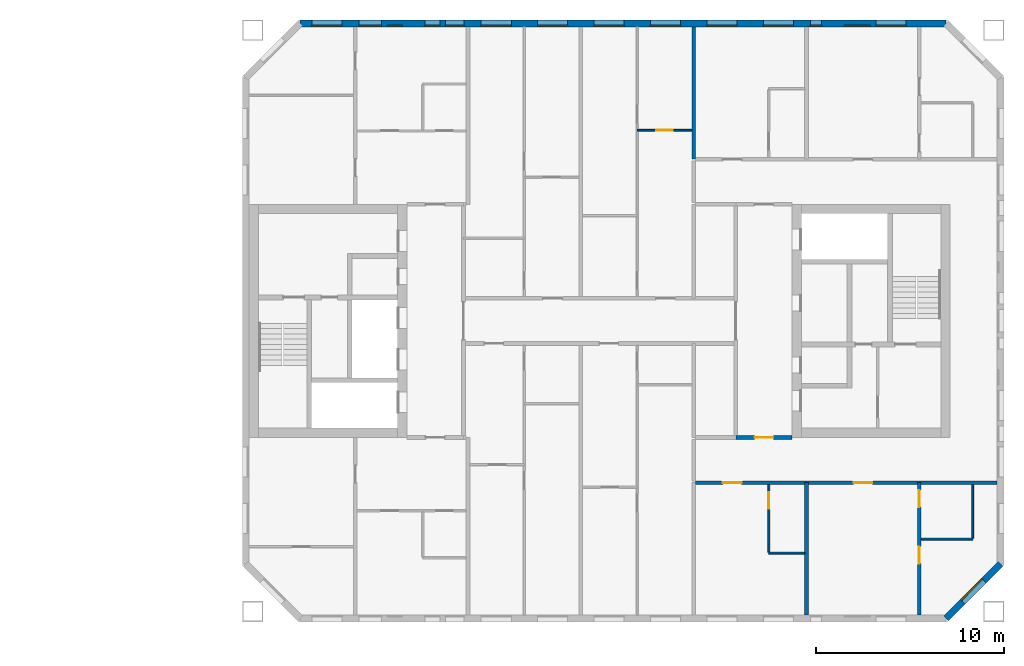
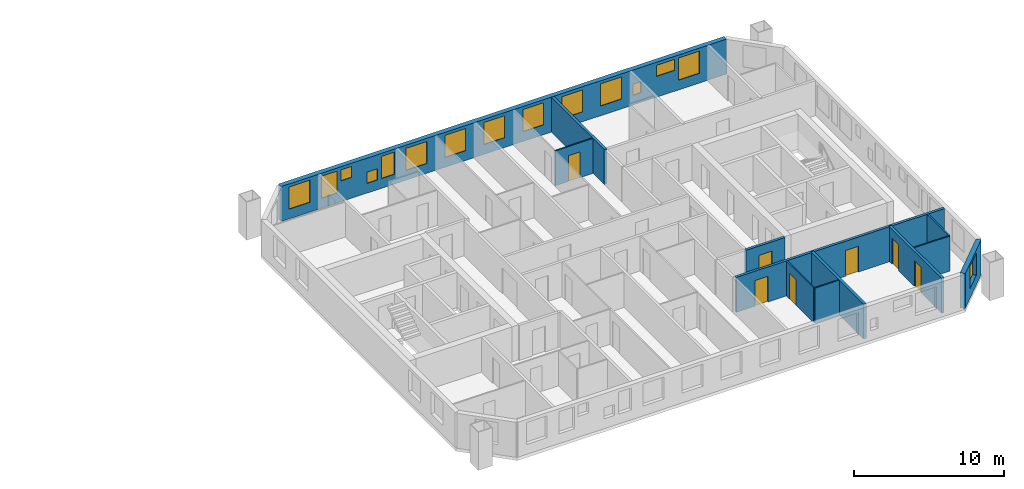
# One storey, part 11 of 15: 15 windows, 12 walls, 7 doors, 22 openings.
"""IFC4 building model written with IfcOpenShell, lengths in metres."""

from ifc_helpers import new_model, si_unit, direction, frame, frame_2d, origin, place, context, subcontext, project, spatial, rectangle, extrude, material, layer, layer_set, type_object, element, fill, save


model = new_model("IFC4")

# Units and contexts
model_context = context("Model", 3, precision=1e-05, world=origin(), true_north=direction((0.0, 1.0)))
body_context = subcontext(model_context, "Body", "Model", "MODEL_VIEW")
ifc_project = project(units=[si_unit("LENGTHUNIT", "METRE"), si_unit("AREAUNIT", "SQUARE_METRE"), si_unit("VOLUMEUNIT", "CUBIC_METRE"), si_unit("PLANEANGLEUNIT", "RADIAN"), si_unit("MASSUNIT", "GRAM", prefix="KILO")], contexts=[model_context])

# Site, building, storey
site_placement = place(None, origin())
site = spatial("IfcSite", under=ifc_project, at=site_placement, CompositionType="ELEMENT")
building_placement = place(site_placement, origin())
building = spatial("IfcBuilding", under=site, at=building_placement, Name="Tuart Gate Housing", CompositionType="ELEMENT")
storey_placement = place(building_placement, frame((0.0, 0.0, 154.699951171875)))
storey = spatial("IfcBuildingStorey", under=building, at=storey_placement, Name="L43", CompositionType="ELEMENT", Elevation=154.699951171875)

# Wall, opening, window
ifc_material_1 = material(Name="Brick", Category="masonry")
ifc_layer_1 = layer(ifc_material_1, 0.360107421875)
ifc_layer_set_1 = layer_set([ifc_layer_1], Name="Brick pier and spandrel wall 360")
wall_type_1 = type_object("IfcWallType", Name="Brick pier and spandrel wall 360", PredefinedType="STANDARD", material=ifc_layer_set_1)
wall_1_placement = place(storey_placement, frame((168.42529296875, 54.179931640625, 0.0), z_axis=(0.0, 0.0, 1.0), x_axis=(0.707106781187, 0.707106781187, 0.0)))
wall_1 = element("IfcWall", 1, at=wall_1_placement, inside=storey, type_object=wall_type_1, Name="External wall B-SE L43", PredefinedType="STANDARD", context=body_context, shape_type="SweptSolid", body=[
    extrude(rectangle(XDim=4.09375, YDim=0.360107421875, at=frame_2d((2.046875, 0.0))), origin(), (0.0, 0.0, 1.0), 2.85009765625),
])
opening_1_placement = place(wall_1_placement, frame((1.2470703125, 0.0, 0.800048828125)))
opening_1 = element("IfcOpeningElement", 2, at=opening_1_placement, cuts=wall_1, Name="Opening W1", PredefinedType="OPENING", context=body_context, shape_type="SweptSolid", body=[
    extrude(rectangle(XDim=1.60009765625, YDim=1.800048828125, at=frame_2d((0.800048828125, 0.89990234375))), frame((0.0, 0.18994140625, 0.0), z_axis=(0.0, -1.0, 0.0), x_axis=(1.0, 0.0, 0.0)), (0.0, 0.0, 1.0), 0.380126953125),
])
ifc_material_2 = material(Name="Aluminium frame with clear glass", Category="aluminium")
window_type_1 = type_object("IfcWindowType", Name="Punched window 1600 x 1800", PartitioningType="SINGLE_PANEL", PredefinedType="WINDOW", material=ifc_material_2)
window_1_placement = place(opening_1_placement, origin())
window_1 = element("IfcWindow", 3, at=window_1_placement, inside=storey, type_object=window_type_1, Name="Window W1", OverallHeight=1.800048828125, OverallWidth=1.60009765625, PartitioningType="SINGLE_PANEL", PredefinedType="WINDOW", context=body_context, shape_type="SweptSolid", body=[
    extrude(rectangle(XDim=1.60009765625, YDim=1.800048828125, at=frame_2d((0.800048828125, 0.89990234375))), frame((0.0, 0.150146484375, 0.0), z_axis=(0.0, -1.0, 0.0), x_axis=(1.0, 0.0, 0.0)), (0.0, 0.0, 1.0), 0.06005859375),
])
fill(opening_1, window_1)

# Wall, openings, windows
wall_2_placement = place(storey_placement, frame((168.42529296875, 85.820068359375, 0.0), z_axis=(0.0, 0.0, 1.0), x_axis=(-1.0, 0.0, 0.0)))
wall_2 = element("IfcWall", 4, at=wall_2_placement, inside=storey, type_object=wall_type_1, Name="External wall B-N L43", PredefinedType="STANDARD", context=body_context, shape_type="SweptSolid", body=[
    extrude(rectangle(XDim=34.350830078125, YDim=0.360107421875, at=frame_2d((17.17529296875, 0.0))), origin(), (0.0, 0.0, 1.0), 2.85009765625),
])
opening_2_placement = place(wall_2_placement, frame((2.12548828125, 0.0, 0.800048828125)))
opening_2 = element("IfcOpeningElement", 5, at=opening_2_placement, cuts=wall_2, Name="Opening W1", PredefinedType="OPENING", context=body_context, shape_type="SweptSolid", body=[
    extrude(rectangle(XDim=1.60009765625, YDim=1.800048828125, at=frame_2d((0.800048828125, 0.89990234375))), frame((0.0, 0.18994140625, 0.0), z_axis=(0.0, -1.0, 0.0), x_axis=(1.0, 0.0, 0.0)), (0.0, 0.0, 1.0), 0.380126953125),
])
opening_3_placement = place(wall_2_placement, frame((4.025390625, 0.0, 1.699951171875)))
opening_3 = element("IfcOpeningElement", 6, at=opening_3_placement, cuts=wall_2, Name="Opening W1S", PredefinedType="OPENING", context=body_context, shape_type="SweptSolid", body=[
    extrude(rectangle(XDim=1.39990234375, YDim=0.89990234375, at=frame_2d((0.699951171875, 0.449951171875))), frame((0.0, 0.18994140625, 0.0), z_axis=(0.0, -1.0, 0.0), x_axis=(1.0, 0.0, 0.0)), (0.0, 0.0, 1.0), 0.380126953125),
])
opening_4_placement = place(wall_2_placement, frame((8.12548828125, 0.0, 0.800048828125)))
opening_4 = element("IfcOpeningElement", 7, at=opening_4_placement, cuts=wall_2, Name="Opening W1", PredefinedType="OPENING", context=body_context, shape_type="SweptSolid", body=[
    extrude(rectangle(XDim=1.60009765625, YDim=1.800048828125, at=frame_2d((0.800048828125, 0.89990234375))), frame((0.0, 0.18994140625, 0.0), z_axis=(0.0, -1.0, 0.0), x_axis=(1.0, 0.0, 0.0)), (0.0, 0.0, 1.0), 0.380126953125),
])
opening_5_placement = place(wall_2_placement, frame((11.12548828125, 0.0, 0.800048828125)))
opening_5 = element("IfcOpeningElement", 8, at=opening_5_placement, cuts=wall_2, Name="Opening W1", PredefinedType="OPENING", context=body_context, shape_type="SweptSolid", body=[
    extrude(rectangle(XDim=1.60009765625, YDim=1.800048828125, at=frame_2d((0.800048828125, 0.89990234375))), frame((0.0, 0.18994140625, 0.0), z_axis=(0.0, -1.0, 0.0), x_axis=(1.0, 0.0, 0.0)), (0.0, 0.0, 1.0), 0.380126953125),
])
opening_6_placement = place(wall_2_placement, frame((14.12548828125, 0.0, 0.800048828125)))
opening_6 = element("IfcOpeningElement", 9, at=opening_6_placement, cuts=wall_2, Name="Opening W1", PredefinedType="OPENING", context=body_context, shape_type="SweptSolid", body=[
    extrude(rectangle(XDim=1.60009765625, YDim=1.800048828125, at=frame_2d((0.800048828125, 0.89990234375))), frame((0.0, 0.18994140625, 0.0), z_axis=(0.0, -1.0, 0.0), x_axis=(1.0, 0.0, 0.0)), (0.0, 0.0, 1.0), 0.380126953125),
])
opening_7_placement = place(wall_2_placement, frame((17.12548828125, 0.0, 0.800048828125)))
opening_7 = element("IfcOpeningElement", 10, at=opening_7_placement, cuts=wall_2, Name="Opening W1", PredefinedType="OPENING", context=body_context, shape_type="SweptSolid", body=[
    extrude(rectangle(XDim=1.60009765625, YDim=1.800048828125, at=frame_2d((0.800048828125, 0.89990234375))), frame((0.0, 0.18994140625, 0.0), z_axis=(0.0, -1.0, 0.0), x_axis=(1.0, 0.0, 0.0)), (0.0, 0.0, 1.0), 0.380126953125),
])
opening_8_placement = place(wall_2_placement, frame((20.12548828125, 0.0, 0.800048828125)))
opening_8 = element("IfcOpeningElement", 11, at=opening_8_placement, cuts=wall_2, Name="Opening W1", PredefinedType="OPENING", context=body_context, shape_type="SweptSolid", body=[
    extrude(rectangle(XDim=1.60009765625, YDim=1.800048828125, at=frame_2d((0.800048828125, 0.89990234375))), frame((0.0, 0.18994140625, 0.0), z_axis=(0.0, -1.0, 0.0), x_axis=(1.0, 0.0, 0.0)), (0.0, 0.0, 1.0), 0.380126953125),
])
opening_9_placement = place(wall_2_placement, frame((23.12548828125, 0.0, 0.800048828125)))
opening_9 = element("IfcOpeningElement", 12, at=opening_9_placement, cuts=wall_2, Name="Opening W1", PredefinedType="OPENING", context=body_context, shape_type="SweptSolid", body=[
    extrude(rectangle(XDim=1.60009765625, YDim=1.800048828125, at=frame_2d((0.800048828125, 0.89990234375))), frame((0.0, 0.18994140625, 0.0), z_axis=(0.0, -1.0, 0.0), x_axis=(1.0, 0.0, 0.0)), (0.0, 0.0, 1.0), 0.380126953125),
])
opening_10_placement = place(wall_2_placement, frame((25.62548828125, 0.0, 0.800048828125)))
opening_10 = element("IfcOpeningElement", 13, at=opening_10_placement, cuts=wall_2, Name="Opening W1C", PredefinedType="OPENING", context=body_context, shape_type="SweptSolid", body=[
    extrude(rectangle(XDim=1.0, YDim=1.800048828125, at=frame_2d((0.5, 0.89990234375))), frame((0.0, 0.18994140625, 0.0), z_axis=(0.0, -1.0, 0.0), x_axis=(1.0, 0.0, 0.0)), (0.0, 0.0, 1.0), 0.380126953125),
])
opening_11_placement = place(wall_2_placement, frame((26.92529296875, 0.0, 0.800048828125)))
opening_11 = element("IfcOpeningElement", 14, at=opening_11_placement, cuts=wall_2, Name="Opening W1V", PredefinedType="OPENING", context=body_context, shape_type="SweptSolid", body=[
    extrude(rectangle(XDim=0.800048828125, YDim=0.89990234375, at=frame_2d((0.39990234375, 0.449951171875))), frame((0.0, 0.18994140625, 0.0), z_axis=(0.0, -1.0, 0.0), x_axis=(1.0, 0.0, 0.0)), (0.0, 0.0, 1.0), 0.380126953125),
])
opening_12_placement = place(wall_2_placement, frame((32.12548828125, 0.0, 0.800048828125)))
opening_12 = element("IfcOpeningElement", 15, at=opening_12_placement, cuts=wall_2, Name="Opening W1", PredefinedType="OPENING", context=body_context, shape_type="SweptSolid", body=[
    extrude(rectangle(XDim=1.60009765625, YDim=1.800048828125, at=frame_2d((0.800048828125, 0.89990234375))), frame((0.0, 0.18994140625, 0.0), z_axis=(0.0, -1.0, 0.0), x_axis=(1.0, 0.0, 0.0)), (0.0, 0.0, 1.0), 0.380126953125),
])
opening_13_placement = place(wall_2_placement, frame((6.62548828125, 0.0, 0.800048828125)))
opening_13 = element("IfcOpeningElement", 16, at=opening_13_placement, cuts=wall_2, Name="Opening W1W", PredefinedType="OPENING", context=body_context, shape_type="SweptSolid", body=[
    extrude(rectangle(XDim=0.60009765625, YDim=0.89990234375, at=frame_2d((0.300048828125, 0.449951171875))), frame((0.0, 0.18994140625, 0.0), z_axis=(0.0, -1.0, 0.0), x_axis=(1.0, 0.0, 0.0)), (0.0, 0.0, 1.0), 0.380126953125),
])
opening_14_placement = place(wall_2_placement, frame((28.92529296875, 0.0, 1.699951171875)))
opening_14 = element("IfcOpeningElement", 17, at=opening_14_placement, cuts=wall_2, Name="Opening W1V", PredefinedType="OPENING", context=body_context, shape_type="SweptSolid", body=[
    extrude(rectangle(XDim=0.800048828125, YDim=0.89990234375, at=frame_2d((0.39990234375, 0.449951171875))), frame((0.0, 0.18994140625, 0.0), z_axis=(0.0, -1.0, 0.0), x_axis=(1.0, 0.0, 0.0)), (0.0, 0.0, 1.0), 0.380126953125),
])
opening_15_placement = place(wall_2_placement, frame((30.025390625, 0.0, 0.800048828125)))
opening_15 = element("IfcOpeningElement", 18, at=opening_15_placement, cuts=wall_2, Name="Opening W1B", PredefinedType="OPENING", context=body_context, shape_type="SweptSolid", body=[
    extrude(rectangle(XDim=1.199951171875, YDim=1.800048828125, at=frame_2d((0.60009765625, 0.89990234375))), frame((0.0, 0.18994140625, 0.0), z_axis=(0.0, -1.0, 0.0), x_axis=(1.0, 0.0, 0.0)), (0.0, 0.0, 1.0), 0.380126953125),
])
ifc_material_3 = material(Name="Aluminium frame with clear glass", Category="aluminium")
window_type_2 = type_object("IfcWindowType", Name="Punched window 1000 x 1800", PartitioningType="SINGLE_PANEL", PredefinedType="WINDOW", material=ifc_material_3)
window_2_placement = place(opening_10_placement, origin())
window_2 = element("IfcWindow", 19, at=window_2_placement, inside=storey, type_object=window_type_2, Name="Window W1C", OverallHeight=1.800048828125, OverallWidth=1.0, PartitioningType="SINGLE_PANEL", PredefinedType="WINDOW", context=body_context, shape_type="SweptSolid", body=[
    extrude(rectangle(XDim=1.0, YDim=1.800048828125, at=frame_2d((0.5, 0.89990234375))), frame((0.0, 0.150146484375, 0.0), z_axis=(0.0, -1.0, 0.0), x_axis=(1.0, 0.0, 0.0)), (0.0, 0.0, 1.0), 0.06005859375),
])
fill(opening_10, window_2)
ifc_material_4 = material(Name="Aluminium frame with clear glass", Category="aluminium")
window_type_3 = type_object("IfcWindowType", Name="Punched window 1200 x 1800", PartitioningType="SINGLE_PANEL", PredefinedType="WINDOW", material=ifc_material_4)
window_3_placement = place(opening_15_placement, origin())
window_3 = element("IfcWindow", 20, at=window_3_placement, inside=storey, type_object=window_type_3, Name="Window W1B", OverallHeight=1.800048828125, OverallWidth=1.199951171875, PartitioningType="SINGLE_PANEL", PredefinedType="WINDOW", context=body_context, shape_type="SweptSolid", body=[
    extrude(rectangle(XDim=1.199951171875, YDim=1.800048828125, at=frame_2d((0.60009765625, 0.89990234375))), frame((0.0, 0.150146484375, 0.0), z_axis=(0.0, -1.0, 0.0), x_axis=(1.0, 0.0, 0.0)), (0.0, 0.0, 1.0), 0.06005859375),
])
fill(opening_15, window_3)
ifc_material_5 = material(Name="Aluminium frame with clear glass", Category="aluminium")
window_type_4 = type_object("IfcWindowType", Name="Punched window 1400 x 900", PartitioningType="SINGLE_PANEL", PredefinedType="WINDOW", material=ifc_material_5)
window_4_placement = place(opening_3_placement, origin())
window_4 = element("IfcWindow", 21, at=window_4_placement, inside=storey, type_object=window_type_4, Name="Window W1S", OverallHeight=0.89990234375, OverallWidth=1.39990234375, PartitioningType="SINGLE_PANEL", PredefinedType="WINDOW", context=body_context, shape_type="SweptSolid", body=[
    extrude(rectangle(XDim=1.39990234375, YDim=0.89990234375, at=frame_2d((0.699951171875, 0.449951171875))), frame((0.0, 0.150146484375, 0.0), z_axis=(0.0, -1.0, 0.0), x_axis=(1.0, 0.0, 0.0)), (0.0, 0.0, 1.0), 0.06005859375),
])
fill(opening_3, window_4)
window_5_placement = place(opening_2_placement, origin())
window_5 = element("IfcWindow", 22, at=window_5_placement, inside=storey, type_object=window_type_1, Name="Window W1", OverallHeight=1.800048828125, OverallWidth=1.60009765625, PartitioningType="SINGLE_PANEL", PredefinedType="WINDOW", context=body_context, shape_type="SweptSolid", body=[
    extrude(rectangle(XDim=1.60009765625, YDim=1.800048828125, at=frame_2d((0.800048828125, 0.89990234375))), frame((0.0, 0.150146484375, 0.0), z_axis=(0.0, -1.0, 0.0), x_axis=(1.0, 0.0, 0.0)), (0.0, 0.0, 1.0), 0.06005859375),
])
fill(opening_2, window_5)
window_6_placement = place(opening_4_placement, origin())
window_6 = element("IfcWindow", 23, at=window_6_placement, inside=storey, type_object=window_type_1, Name="Window W1", OverallHeight=1.800048828125, OverallWidth=1.60009765625, PartitioningType="SINGLE_PANEL", PredefinedType="WINDOW", context=body_context, shape_type="SweptSolid", body=[
    extrude(rectangle(XDim=1.60009765625, YDim=1.800048828125, at=frame_2d((0.800048828125, 0.89990234375))), frame((0.0, 0.150146484375, 0.0), z_axis=(0.0, -1.0, 0.0), x_axis=(1.0, 0.0, 0.0)), (0.0, 0.0, 1.0), 0.06005859375),
])
fill(opening_4, window_6)
window_7_placement = place(opening_5_placement, origin())
window_7 = element("IfcWindow", 24, at=window_7_placement, inside=storey, type_object=window_type_1, Name="Window W1", OverallHeight=1.800048828125, OverallWidth=1.60009765625, PartitioningType="SINGLE_PANEL", PredefinedType="WINDOW", context=body_context, shape_type="SweptSolid", body=[
    extrude(rectangle(XDim=1.60009765625, YDim=1.800048828125, at=frame_2d((0.800048828125, 0.89990234375))), frame((0.0, 0.150146484375, 0.0), z_axis=(0.0, -1.0, 0.0), x_axis=(1.0, 0.0, 0.0)), (0.0, 0.0, 1.0), 0.06005859375),
])
fill(opening_5, window_7)
window_8_placement = place(opening_6_placement, origin())
window_8 = element("IfcWindow", 25, at=window_8_placement, inside=storey, type_object=window_type_1, Name="Window W1", OverallHeight=1.800048828125, OverallWidth=1.60009765625, PartitioningType="SINGLE_PANEL", PredefinedType="WINDOW", context=body_context, shape_type="SweptSolid", body=[
    extrude(rectangle(XDim=1.60009765625, YDim=1.800048828125, at=frame_2d((0.800048828125, 0.89990234375))), frame((0.0, 0.150146484375, 0.0), z_axis=(0.0, -1.0, 0.0), x_axis=(1.0, 0.0, 0.0)), (0.0, 0.0, 1.0), 0.06005859375),
])
fill(opening_6, window_8)
window_9_placement = place(opening_7_placement, origin())
window_9 = element("IfcWindow", 26, at=window_9_placement, inside=storey, type_object=window_type_1, Name="Window W1", OverallHeight=1.800048828125, OverallWidth=1.60009765625, PartitioningType="SINGLE_PANEL", PredefinedType="WINDOW", context=body_context, shape_type="SweptSolid", body=[
    extrude(rectangle(XDim=1.60009765625, YDim=1.800048828125, at=frame_2d((0.800048828125, 0.89990234375))), frame((0.0, 0.150146484375, 0.0), z_axis=(0.0, -1.0, 0.0), x_axis=(1.0, 0.0, 0.0)), (0.0, 0.0, 1.0), 0.06005859375),
])
fill(opening_7, window_9)
window_10_placement = place(opening_8_placement, origin())
window_10 = element("IfcWindow", 27, at=window_10_placement, inside=storey, type_object=window_type_1, Name="Window W1", OverallHeight=1.800048828125, OverallWidth=1.60009765625, PartitioningType="SINGLE_PANEL", PredefinedType="WINDOW", context=body_context, shape_type="SweptSolid", body=[
    extrude(rectangle(XDim=1.60009765625, YDim=1.800048828125, at=frame_2d((0.800048828125, 0.89990234375))), frame((0.0, 0.150146484375, 0.0), z_axis=(0.0, -1.0, 0.0), x_axis=(1.0, 0.0, 0.0)), (0.0, 0.0, 1.0), 0.06005859375),
])
fill(opening_8, window_10)
window_11_placement = place(opening_9_placement, origin())
window_11 = element("IfcWindow", 28, at=window_11_placement, inside=storey, type_object=window_type_1, Name="Window W1", OverallHeight=1.800048828125, OverallWidth=1.60009765625, PartitioningType="SINGLE_PANEL", PredefinedType="WINDOW", context=body_context, shape_type="SweptSolid", body=[
    extrude(rectangle(XDim=1.60009765625, YDim=1.800048828125, at=frame_2d((0.800048828125, 0.89990234375))), frame((0.0, 0.150146484375, 0.0), z_axis=(0.0, -1.0, 0.0), x_axis=(1.0, 0.0, 0.0)), (0.0, 0.0, 1.0), 0.06005859375),
])
fill(opening_9, window_11)
window_12_placement = place(opening_12_placement, origin())
window_12 = element("IfcWindow", 29, at=window_12_placement, inside=storey, type_object=window_type_1, Name="Window W1", OverallHeight=1.800048828125, OverallWidth=1.60009765625, PartitioningType="SINGLE_PANEL", PredefinedType="WINDOW", context=body_context, shape_type="SweptSolid", body=[
    extrude(rectangle(XDim=1.60009765625, YDim=1.800048828125, at=frame_2d((0.800048828125, 0.89990234375))), frame((0.0, 0.150146484375, 0.0), z_axis=(0.0, -1.0, 0.0), x_axis=(1.0, 0.0, 0.0)), (0.0, 0.0, 1.0), 0.06005859375),
])
fill(opening_12, window_12)
ifc_material_6 = material(Name="Aluminium frame with clear glass", Category="aluminium")
window_type_5 = type_object("IfcWindowType", Name="Punched window 600 x 900", PartitioningType="SINGLE_PANEL", PredefinedType="WINDOW", material=ifc_material_6)
window_13_placement = place(opening_13_placement, origin())
window_13 = element("IfcWindow", 30, at=window_13_placement, inside=storey, type_object=window_type_5, Name="Window W1W", OverallHeight=0.89990234375, OverallWidth=0.60009765625, PartitioningType="SINGLE_PANEL", PredefinedType="WINDOW", context=body_context, shape_type="SweptSolid", body=[
    extrude(rectangle(XDim=0.60009765625, YDim=0.89990234375, at=frame_2d((0.300048828125, 0.449951171875))), frame((0.0, 0.150146484375, 0.0), z_axis=(0.0, -1.0, 0.0), x_axis=(1.0, 0.0, 0.0)), (0.0, 0.0, 1.0), 0.06005859375),
])
fill(opening_13, window_13)
ifc_material_7 = material(Name="Aluminium frame with clear glass", Category="aluminium")
window_type_6 = type_object("IfcWindowType", Name="Punched window 800 x 900", PartitioningType="SINGLE_PANEL", PredefinedType="WINDOW", material=ifc_material_7)
window_14_placement = place(opening_11_placement, origin())
window_14 = element("IfcWindow", 31, at=window_14_placement, inside=storey, type_object=window_type_6, Name="Window W1V", OverallHeight=0.89990234375, OverallWidth=0.800048828125, PartitioningType="SINGLE_PANEL", PredefinedType="WINDOW", context=body_context, shape_type="SweptSolid", body=[
    extrude(rectangle(XDim=0.800048828125, YDim=0.89990234375, at=frame_2d((0.39990234375, 0.449951171875))), frame((0.0, 0.150146484375, 0.0), z_axis=(0.0, -1.0, 0.0), x_axis=(1.0, 0.0, 0.0)), (0.0, 0.0, 1.0), 0.06005859375),
])
fill(opening_11, window_14)
window_15_placement = place(opening_14_placement, origin())
window_15 = element("IfcWindow", 32, at=window_15_placement, inside=storey, type_object=window_type_6, Name="Window W1V", OverallHeight=0.89990234375, OverallWidth=0.800048828125, PartitioningType="SINGLE_PANEL", PredefinedType="WINDOW", context=body_context, shape_type="SweptSolid", body=[
    extrude(rectangle(XDim=0.800048828125, YDim=0.89990234375, at=frame_2d((0.39990234375, 0.449951171875))), frame((0.0, 0.150146484375, 0.0), z_axis=(0.0, -1.0, 0.0), x_axis=(1.0, 0.0, 0.0)), (0.0, 0.0, 1.0), 0.06005859375),
])
fill(opening_14, window_15)

# Wall, openings, doors
ifc_material_8 = material(Name="Concrete masonry 15 MPa", Category="masonry")
ifc_layer_2 = layer(ifc_material_8, 0.199951171875)
ifc_layer_set_2 = layer_set([ifc_layer_2], Name="Corridor wall masonry 200")
wall_type_2 = type_object("IfcWallType", Name="Corridor wall masonry 200", PredefinedType="PARTITIONING", material=ifc_layer_set_2)
wall_3_placement = place(storey_placement, frame((155.10009765625, 61.39990234375, 0.0), z_axis=(0.0, 0.0, 1.0), x_axis=(1.0, 0.0, 0.0)))
wall_3 = element("IfcWall", 33, at=wall_3_placement, inside=storey, type_object=wall_type_2, Name="Corridor wall masonry 200", PredefinedType="PARTITIONING", context=body_context, shape_type="SweptSolid", body=[
    extrude(rectangle(XDim=16.039794921875, YDim=0.199951171875, at=frame_2d((8.02001953125, 0.0))), origin(), (0.0, 0.0, 1.0), 2.85009765625),
])
opening_16_placement = place(wall_3_placement, frame((1.449951171875, 0.0, 0.0)))
opening_16 = element("IfcOpeningElement", 34, at=opening_16_placement, cuts=wall_3, Name="Opening D1613", PredefinedType="OPENING", context=body_context, shape_type="SweptSolid", body=[
    extrude(rectangle(XDim=1.0, YDim=2.10009765625, at=frame_2d((0.5, 1.050048828125))), frame((0.0, 0.10986328125, 0.0), z_axis=(0.0, -1.0, 0.0), x_axis=(1.0, 0.0, 0.0)), (0.0, 0.0, 1.0), 0.219970703125),
])
opening_17_placement = place(wall_3_placement, frame((8.39990234375, 0.0, 0.0)))
opening_17 = element("IfcOpeningElement", 35, at=opening_17_placement, cuts=wall_3, Name="Opening D1614", PredefinedType="OPENING", context=body_context, shape_type="SweptSolid", body=[
    extrude(rectangle(XDim=1.0, YDim=2.10009765625, at=frame_2d((0.5, 1.050048828125))), frame((0.0, 0.10986328125, 0.0), z_axis=(0.0, -1.0, 0.0), x_axis=(1.0, 0.0, 0.0)), (0.0, 0.0, 1.0), 0.219970703125),
])
ifc_material_9 = material(Name="Timber door leaf in steel frame", Category="steel")
door_type_1 = type_object("IfcDoorType", Name="Flat entrance door 1000", OperationType="SINGLE_SWING_LEFT", PredefinedType="DOOR", material=ifc_material_9)
door_1_placement = place(opening_16_placement, frame((1.0, 0.0, 0.0), z_axis=(0.0, 0.0, 1.0), x_axis=(-1.0, 0.0, 0.0)))
door_1 = element("IfcDoor", 36, at=door_1_placement, inside=storey, type_object=door_type_1, Name="Flat entrance door", OperationType="SINGLE_SWING_LEFT", OverallHeight=2.10009765625, OverallWidth=1.0, PredefinedType="DOOR", context=body_context, shape_type="SweptSolid", body=[
    extrude(rectangle(XDim=1.0, YDim=2.10009765625, at=frame_2d((0.5, 1.050048828125))), frame((0.0, 0.025146484375, 0.0), z_axis=(0.0, -1.0, 0.0), x_axis=(1.0, 0.0, 0.0)), (0.0, 0.0, 1.0), 0.050048828125),
])
fill(opening_16, door_1)
ifc_material_10 = material(Name="Timber door leaf in steel frame", Category="steel")
door_type_2 = type_object("IfcDoorType", Name="Flat entrance door 1000 RH", OperationType="SINGLE_SWING_RIGHT", PredefinedType="DOOR", material=ifc_material_10)
door_2_placement = place(opening_17_placement, frame((1.0, 0.0, 0.0), z_axis=(0.0, 0.0, 1.0), x_axis=(-1.0, 0.0, 0.0)))
door_2 = element("IfcDoor", 37, at=door_2_placement, inside=storey, type_object=door_type_2, Name="Flat entrance door", OperationType="SINGLE_SWING_RIGHT", OverallHeight=2.10009765625, OverallWidth=1.0, PredefinedType="DOOR", context=body_context, shape_type="SweptSolid", body=[
    extrude(rectangle(XDim=1.0, YDim=2.10009765625, at=frame_2d((0.5, 1.050048828125))), frame((0.0, 0.025146484375, 0.0), z_axis=(0.0, -1.0, 0.0), x_axis=(1.0, 0.0, 0.0)), (0.0, 0.0, 1.0), 0.050048828125),
])
fill(opening_17, door_2)

# Wall, opening, door
ifc_material_11 = material(Name="Concrete masonry 15 MPa", Category="masonry")
ifc_layer_3 = layer(ifc_material_11, 0.199951171875)
ifc_layer_set_3 = layer_set([ifc_layer_3], Name="Enclosure wall masonry 200")
wall_type_3 = type_object("IfcWallType", Name="Enclosure wall masonry 200", PredefinedType="PARTITIONING", material=ifc_layer_set_3)
wall_4_placement = place(storey_placement, frame((157.239990234375, 63.800048828125, 0.0), z_axis=(0.0, 0.0, 1.0), x_axis=(1.0, 0.0, 0.0)))
wall_4 = element("IfcWall", 38, at=wall_4_placement, inside=storey, type_object=wall_type_3, Name="Enclosure wall masonry 200", PredefinedType="PARTITIONING", context=body_context, shape_type="SweptSolid", body=[
    extrude(rectangle(XDim=3.0, YDim=0.199951171875, at=frame_2d((1.5, 0.0))), origin(), (0.0, 0.0, 1.0), 2.85009765625),
])
opening_18_placement = place(wall_4_placement, frame((1.0, 0.0, 0.0)))
opening_18 = element("IfcOpeningElement", 39, at=opening_18_placement, cuts=wall_4, Name="Opening D1607", PredefinedType="OPENING", context=body_context, shape_type="SweptSolid", body=[
    extrude(rectangle(XDim=1.0, YDim=2.10009765625, at=frame_2d((0.5, 1.050048828125))), frame((0.0, 0.10986328125, 0.0), z_axis=(0.0, -1.0, 0.0), x_axis=(1.0, 0.0, 0.0)), (0.0, 0.0, 1.0), 0.219970703125),
])
ifc_material_12 = material(Name="Timber door leaf in steel frame", Category="steel")
door_type_3 = type_object("IfcDoorType", Name="Fire door 1000 RH", OperationType="SINGLE_SWING_RIGHT", PredefinedType="DOOR", material=ifc_material_12)
door_3_placement = place(opening_18_placement, frame((1.0, 0.0, 0.0), z_axis=(0.0, 0.0, 1.0), x_axis=(-1.0, 0.0, 0.0)))
door_3 = element("IfcDoor", 40, at=door_3_placement, inside=storey, type_object=door_type_3, Name="Fire door", OperationType="SINGLE_SWING_RIGHT", OverallHeight=2.10009765625, OverallWidth=1.0, PredefinedType="DOOR", context=body_context, shape_type="SweptSolid", body=[
    extrude(rectangle(XDim=1.0, YDim=2.10009765625, at=frame_2d((0.5, 1.050048828125))), frame((0.0, 0.025146484375, 0.0), z_axis=(0.0, -1.0, 0.0), x_axis=(1.0, 0.0, 0.0)), (0.0, 0.0, 1.0), 0.050048828125),
])
fill(opening_18, door_3)

# Walls
ifc_material_13 = material(Name="Gypsum board on steel studs", Category="steel")
ifc_layer_4 = layer(ifc_material_13, 0.10009765625)
ifc_layer_set_4 = layer_set([ifc_layer_4], Name="Partition 100")
wall_type_4 = type_object("IfcWallType", Name="Partition 100", PredefinedType="PARTITIONING", material=ifc_layer_set_4)
wall_5_placement = place(storey_placement, frame((159.0, 57.64990234375, 0.0), z_axis=(0.0, 0.0, 1.0), x_axis=(1.0, 0.0, 0.0)))
element("IfcWall", 41, at=wall_5_placement, inside=storey, type_object=wall_type_4, Name="Partition 100", PredefinedType="PARTITIONING", context=body_context, shape_type="SweptSolid", body=[
    extrude(rectangle(XDim=1.89990234375, YDim=0.10009765625, at=frame_2d((0.949951171875, 0.0))), origin(), (0.0, 0.0, 1.0), 2.85009765625),
])
wall_6_placement = place(storey_placement, frame((167.10009765625, 58.39990234375, 0.0), z_axis=(0.0, 0.0, 1.0), x_axis=(1.0, 0.0, 0.0)))
element("IfcWall", 42, at=wall_6_placement, inside=storey, type_object=wall_type_4, Name="Partition 100", PredefinedType="PARTITIONING", context=body_context, shape_type="SweptSolid", body=[
    extrude(rectangle(XDim=2.739990234375, YDim=0.10009765625, at=frame_2d((1.3701171875, 0.0))), origin(), (0.0, 0.0, 1.0), 2.85009765625),
])

# Wall, opening, door
wall_7_placement = place(storey_placement, frame((152.0, 80.139892578125, 0.0), z_axis=(0.0, 0.0, 1.0), x_axis=(1.0, 0.0, 0.0)))
wall_7 = element("IfcWall", 43, at=wall_7_placement, inside=storey, type_object=wall_type_4, Name="Partition 100", PredefinedType="PARTITIONING", context=body_context, shape_type="SweptSolid", body=[
    extrude(rectangle(XDim=2.89990234375, YDim=0.10009765625, at=frame_2d((1.449951171875, 0.0))), origin(), (0.0, 0.0, 1.0), 2.85009765625),
])
opening_19_placement = place(wall_7_placement, frame((1.0, 0.0, 0.0)))
opening_19 = element("IfcOpeningElement", 44, at=opening_19_placement, cuts=wall_7, Name="Opening D1578", PredefinedType="OPENING", context=body_context, shape_type="SweptSolid", body=[
    extrude(rectangle(XDim=0.89990234375, YDim=2.10009765625, at=frame_2d((0.449951171875, 1.050048828125))), frame((0.0, 0.06005859375, 0.0), z_axis=(0.0, -1.0, 0.0), x_axis=(1.0, 0.0, 0.0)), (0.0, 0.0, 1.0), 0.1201171875),
])
ifc_material_14 = material(Name="Timber door leaf in steel frame", Category="steel")
door_type_4 = type_object("IfcDoorType", Name="Internal door 900 RH", OperationType="SINGLE_SWING_RIGHT", PredefinedType="DOOR", material=ifc_material_14)
door_4_placement = place(opening_19_placement, frame((0.89990234375, 0.0, 0.0), z_axis=(0.0, 0.0, 1.0), x_axis=(-1.0, 0.0, 0.0)))
door_4 = element("IfcDoor", 45, at=door_4_placement, inside=storey, type_object=door_type_4, Name="Internal door", OperationType="SINGLE_SWING_RIGHT", OverallHeight=2.10009765625, OverallWidth=0.89990234375, PredefinedType="DOOR", context=body_context, shape_type="SweptSolid", body=[
    extrude(rectangle(XDim=0.89990234375, YDim=2.10009765625, at=frame_2d((0.449951171875, 1.050048828125))), frame((0.0, 0.025146484375, 0.0), z_axis=(0.0, -1.0, 0.0), x_axis=(1.0, 0.0, 0.0)), (0.0, 0.0, 1.0), 0.050048828125),
])
fill(opening_19, door_4)

wall_8_placement = place(storey_placement, frame((159.0, 57.699951171875, 0.0), z_axis=(0.0, 0.0, 1.0), x_axis=(0.0, 1.0, 0.0)))
wall_8 = element("IfcWall", 46, at=wall_8_placement, inside=storey, type_object=wall_type_4, Name="Partition 100", PredefinedType="PARTITIONING", context=body_context, shape_type="SweptSolid", body=[
    extrude(rectangle(XDim=3.60009765625, YDim=0.10009765625, at=frame_2d((1.800048828125, 0.0))), origin(), (0.0, 0.0, 1.0), 2.85009765625),
])
opening_20_placement = place(wall_8_placement, frame((2.300048828125, 0.0, 0.0)))
opening_20 = element("IfcOpeningElement", 47, at=opening_20_placement, cuts=wall_8, Name="Opening D1618", PredefinedType="OPENING", context=body_context, shape_type="SweptSolid", body=[
    extrude(rectangle(XDim=0.89990234375, YDim=2.10009765625, at=frame_2d((0.449951171875, 1.050048828125))), frame((0.0, 0.06005859375, 0.0), z_axis=(0.0, -1.0, 0.0), x_axis=(1.0, 0.0, 0.0)), (0.0, 0.0, 1.0), 0.1201171875),
])
ifc_material_15 = material(Name="Timber door leaf in steel frame", Category="steel")
door_type_5 = type_object("IfcDoorType", Name="Bathroom door 900", OperationType="SINGLE_SWING_LEFT", PredefinedType="DOOR", material=ifc_material_15)
door_5_placement = place(opening_20_placement, frame((0.89990234375, 0.0, 0.0), z_axis=(0.0, 0.0, 1.0), x_axis=(-1.0, 0.0, 0.0)))
door_5 = element("IfcDoor", 48, at=door_5_placement, inside=storey, type_object=door_type_5, Name="Bathroom door", OperationType="SINGLE_SWING_LEFT", OverallHeight=2.10009765625, OverallWidth=0.89990234375, PredefinedType="DOOR", context=body_context, shape_type="SweptSolid", body=[
    extrude(rectangle(XDim=0.89990234375, YDim=2.10009765625, at=frame_2d((0.449951171875, 1.050048828125))), frame((0.0, 0.025146484375, 0.0), z_axis=(0.0, -1.0, 0.0), x_axis=(1.0, 0.0, 0.0)), (0.0, 0.0, 1.0), 0.050048828125),
])
fill(opening_20, door_5)

# Walls
wall_9_placement = place(storey_placement, frame((169.840087890625, 58.449951171875, 0.0), z_axis=(0.0, 0.0, 1.0), x_axis=(0.0, 1.0, 0.0)))
element("IfcWall", 49, at=wall_9_placement, inside=storey, type_object=wall_type_4, Name="Partition 100", PredefinedType="PARTITIONING", context=body_context, shape_type="SweptSolid", body=[
    extrude(rectangle(XDim=2.85009765625, YDim=0.10009765625, at=frame_2d((1.425048828125, 0.0))), origin(), (0.0, 0.0, 1.0), 2.85009765625),
])
ifc_material_16 = material(Name="Concrete C40", Category="concrete")
ifc_layer_5 = layer(ifc_material_16, 0.199951171875)
ifc_layer_set_5 = layer_set([ifc_layer_5], Name="Party wall concrete C40 200")
wall_type_5 = type_object("IfcWallType", Name="Party wall concrete C40 200", PredefinedType="SOLIDWALL", material=ifc_layer_set_5)
for number, where, z_axis, x_axis, name in (
    (50, (155.0, 78.60009765625, 0.0), (0.0, 0.0, 1.0), (0.0, 1.0, 0.0), "Party wall concrete C40 200"),
    (51, (161.0, 54.360107421875, 0.0), (0.0, 0.0, 1.0), (0.0, 1.0, 0.0), "Party wall concrete C40 200"),
):
    element("IfcWall", number, at=place(storey_placement, frame(where, z_axis=z_axis, x_axis=x_axis)), inside=storey, type_object=wall_type_5, Name=name, PredefinedType="SOLIDWALL", context=body_context, shape_type="SweptSolid", body=[
        extrude(rectangle(XDim=7.039794921875, YDim=0.199951171875, at=frame_2d((3.52001953125, 0.0))), origin(), (0.0, 0.0, 1.0), 2.85009765625),
    ])

# Wall, openings, doors
wall_10_placement = place(storey_placement, frame((167.0, 54.360107421875, 0.0), z_axis=(0.0, 0.0, 1.0), x_axis=(0.0, 1.0, 0.0)))
wall_10 = element("IfcWall", 52, at=wall_10_placement, inside=storey, type_object=wall_type_5, Name="Party wall concrete C40 200", PredefinedType="SOLIDWALL", context=body_context, shape_type="SweptSolid", body=[
    extrude(rectangle(XDim=7.039794921875, YDim=0.199951171875, at=frame_2d((3.52001953125, 0.0))), origin(), (0.0, 0.0, 1.0), 2.85009765625),
])
opening_21_placement = place(wall_10_placement, frame((2.739990234375, 0.0, 0.0)))
opening_21 = element("IfcOpeningElement", 53, at=opening_21_placement, cuts=wall_10, Name="Opening D1622", PredefinedType="OPENING", context=body_context, shape_type="SweptSolid", body=[
    extrude(rectangle(XDim=0.89990234375, YDim=2.10009765625, at=frame_2d((0.449951171875, 1.050048828125))), frame((0.0, 0.10986328125, 0.0), z_axis=(0.0, -1.0, 0.0), x_axis=(1.0, 0.0, 0.0)), (0.0, 0.0, 1.0), 0.219970703125),
])
opening_22_placement = place(wall_10_placement, frame((5.739990234375, 0.0, 0.0)))
opening_22 = element("IfcOpeningElement", 54, at=opening_22_placement, cuts=wall_10, Name="Opening D1621", PredefinedType="OPENING", context=body_context, shape_type="SweptSolid", body=[
    extrude(rectangle(XDim=0.89990234375, YDim=2.10009765625, at=frame_2d((0.449951171875, 1.050048828125))), frame((0.0, 0.10986328125, 0.0), z_axis=(0.0, -1.0, 0.0), x_axis=(1.0, 0.0, 0.0)), (0.0, 0.0, 1.0), 0.219970703125),
])
door_6_placement = place(opening_22_placement, frame((0.89990234375, 0.0, 0.0), z_axis=(0.0, 0.0, 1.0), x_axis=(-1.0, 0.0, 0.0)))
door_6 = element("IfcDoor", 55, at=door_6_placement, inside=storey, type_object=door_type_5, Name="Bathroom door", OperationType="SINGLE_SWING_LEFT", OverallHeight=2.10009765625, OverallWidth=0.89990234375, PredefinedType="DOOR", context=body_context, shape_type="SweptSolid", body=[
    extrude(rectangle(XDim=0.89990234375, YDim=2.10009765625, at=frame_2d((0.449951171875, 1.050048828125))), frame((0.0, 0.025146484375, 0.0), z_axis=(0.0, -1.0, 0.0), x_axis=(1.0, 0.0, 0.0)), (0.0, 0.0, 1.0), 0.050048828125),
])
fill(opening_22, door_6)
ifc_material_17 = material(Name="Timber door leaf in steel frame", Category="steel")
door_type_6 = type_object("IfcDoorType", Name="Internal door 900", OperationType="SINGLE_SWING_LEFT", PredefinedType="DOOR", material=ifc_material_17)
door_7_placement = place(opening_21_placement, frame((0.89990234375, 0.0, 0.0), z_axis=(0.0, 0.0, 1.0), x_axis=(-1.0, 0.0, 0.0)))
door_7 = element("IfcDoor", 56, at=door_7_placement, inside=storey, type_object=door_type_6, Name="Internal door", OperationType="SINGLE_SWING_LEFT", OverallHeight=2.10009765625, OverallWidth=0.89990234375, PredefinedType="DOOR", context=body_context, shape_type="SweptSolid", body=[
    extrude(rectangle(XDim=0.89990234375, YDim=2.10009765625, at=frame_2d((0.449951171875, 1.050048828125))), frame((0.0, 0.025146484375, 0.0), z_axis=(0.0, -1.0, 0.0), x_axis=(1.0, 0.0, 0.0)), (0.0, 0.0, 1.0), 0.050048828125),
])
fill(opening_21, door_7)

save(model, "model.ifc")
